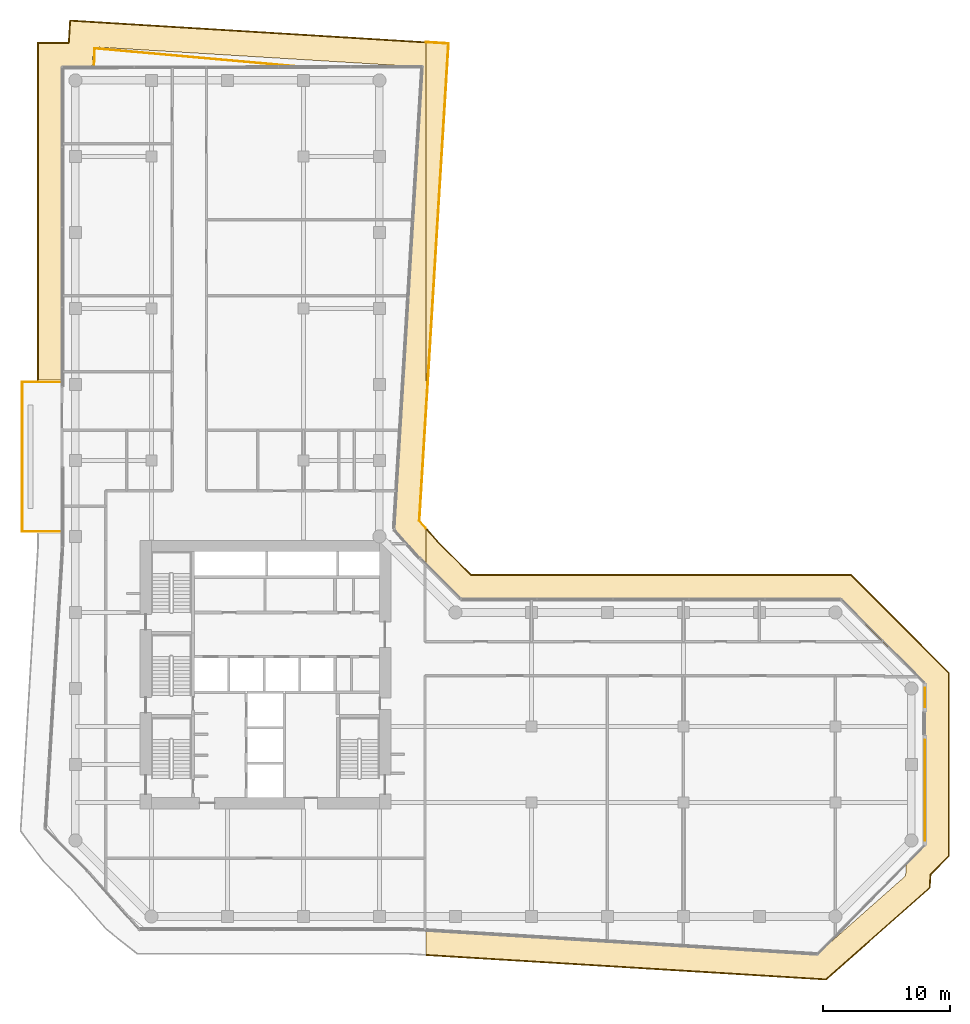
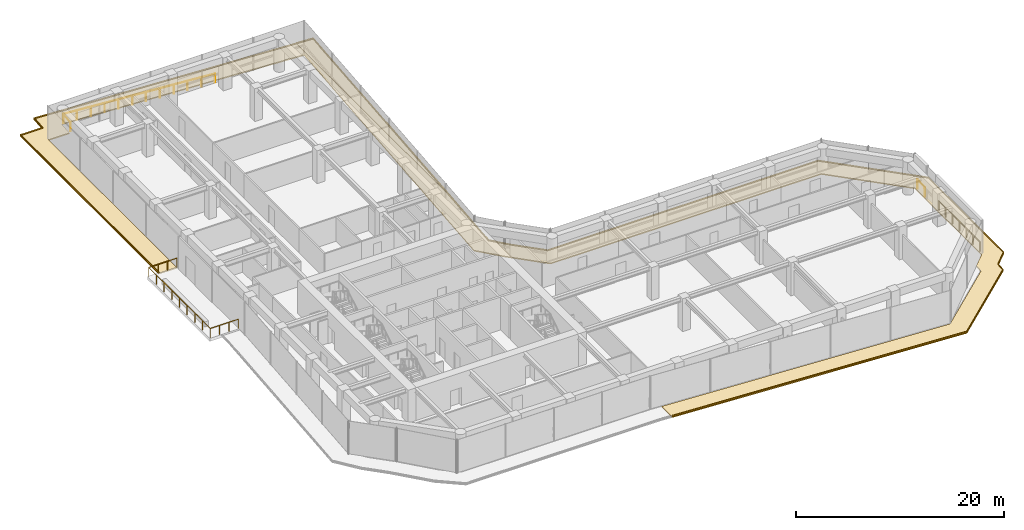
# One storey, part 27 of 27: 7 coverings, 4 railings.
"""IFC4 building model written with IfcOpenShell, lengths in metres."""

from ifc_helpers import new_model, si_unit, direction, frame, origin, origin_2d, place, context, subcontext, project, spatial, polyline, circle, outline, extrude, material, layer, layer_set, type_object, element, save


model = new_model("IFC4")

# Units and contexts
model_context = context("Model", 3, precision=1e-05, world=origin(), true_north=direction((0.0, 1.0)))
body_context = subcontext(model_context, "Body", "Model", "MODEL_VIEW")
ifc_project = project(units=[si_unit("LENGTHUNIT", "METRE"), si_unit("AREAUNIT", "SQUARE_METRE"), si_unit("VOLUMEUNIT", "CUBIC_METRE"), si_unit("PLANEANGLEUNIT", "RADIAN"), si_unit("MASSUNIT", "GRAM", prefix="KILO")], contexts=[model_context])

# Site, building, storey
site_placement = place(None, origin())
site = spatial("IfcSite", under=ifc_project, at=site_placement, CompositionType="ELEMENT")
building_placement = place(site_placement, origin())
building = spatial("IfcBuilding", under=site, at=building_placement, Name="Welwitschia Terrace Campus", CompositionType="ELEMENT")
storey_placement = place(building_placement, frame((0.0, 0.0, 37.39990234375)))
storey = spatial("IfcBuildingStorey", under=building, at=storey_placement, Name="L08", CompositionType="ELEMENT", Elevation=37.39990234375)

# Railings
ifc_material_1 = material(Name="Stainless steel grade 316", Category="steel")
railing_type = type_object("IfcRailingType", Name="Guard 1100", PredefinedType="GUARDRAIL", material=ifc_material_1)
railing_1_placement = place(storey_placement, frame((-1.05810546875, 26.392822265625, 0.0)))
element("IfcRailing", 1, at=railing_1_placement, inside=storey, type_object=railing_type, Name="Guard terrace L08:0:0.0", PredefinedType="GUARDRAIL", context=body_context, shape_type="SweptSolid", body=[
    extrude(circle(Radius=0.02392578125, at=origin_2d()), frame((0.0, 0.0, 1.076171875), z_axis=(-1.0, 0.0, 0.0), x_axis=(0.0, -1.0, 0.0)), (0.0, 0.0, 1.0), 3.141845703125),
    extrude(circle(Radius=0.02392578125, at=origin_2d()), frame((-3.141845703125, 0.0, 1.076171875), z_axis=(0.0, 1.0, 0.0), x_axis=(-1.0, 0.0, 0.0)), (0.0, 0.0, 1.0), 11.800048828125),
    extrude(circle(Radius=0.02392578125, at=origin_2d()), frame((-3.141845703125, 11.800048828125, 1.076171875), z_axis=(1.0, 0.0, 0.0), x_axis=(0.0, 1.0, 0.0)), (0.0, 0.0, 1.0), 3.141845703125),
    extrude(circle(Radius=0.02099609375, at=origin_2d()), origin(), (0.0, 0.0, 1.0), 1.052001953125),
    extrude(circle(Radius=0.02099609375, at=origin_2d()), frame((-1.04736328125, 0.0, 0.0)), (0.0, 0.0, 1.0), 1.052001953125),
    extrude(circle(Radius=0.02099609375, at=origin_2d()), frame((-2.094482421875, 0.0, 0.0)), (0.0, 0.0, 1.0), 1.052001953125),
    extrude(circle(Radius=0.02099609375, at=origin_2d()), frame((-3.141845703125, 0.0, 0.0)), (0.0, 0.0, 1.0), 1.052001953125),
    extrude(circle(Radius=0.02099609375, at=origin_2d()), frame((-3.141845703125, 1.47509765625, 0.0)), (0.0, 0.0, 1.0), 1.052001953125),
    extrude(circle(Radius=0.02099609375, at=origin_2d()), frame((-3.141845703125, 2.949951171875, 0.0)), (0.0, 0.0, 1.0), 1.052001953125),
    extrude(circle(Radius=0.02099609375, at=origin_2d()), frame((-3.141845703125, 4.425048828125, 0.0)), (0.0, 0.0, 1.0), 1.052001953125),
    extrude(circle(Radius=0.02099609375, at=origin_2d()), frame((-3.141845703125, 5.89990234375, 0.0)), (0.0, 0.0, 1.0), 1.052001953125),
    extrude(circle(Radius=0.02099609375, at=origin_2d()), frame((-3.141845703125, 7.375, 0.0)), (0.0, 0.0, 1.0), 1.052001953125),
    extrude(circle(Radius=0.02099609375, at=origin_2d()), frame((-3.141845703125, 8.85009765625, 0.0)), (0.0, 0.0, 1.0), 1.052001953125),
    extrude(circle(Radius=0.02099609375, at=origin_2d()), frame((-3.141845703125, 10.324951171875, 0.0)), (0.0, 0.0, 1.0), 1.052001953125),
    extrude(circle(Radius=0.02099609375, at=origin_2d()), frame((-3.141845703125, 11.800048828125, 0.0)), (0.0, 0.0, 1.0), 1.052001953125),
    extrude(circle(Radius=0.02099609375, at=origin_2d()), frame((-2.094482421875, 11.800048828125, 0.0)), (0.0, 0.0, 1.0), 1.052001953125),
    extrude(circle(Radius=0.02099609375, at=origin_2d()), frame((-1.04736328125, 11.800048828125, 0.0)), (0.0, 0.0, 1.0), 1.052001953125),
    extrude(circle(Radius=0.02099609375, at=origin_2d()), frame((0.0, 11.800048828125, 0.0)), (0.0, 0.0, 1.0), 1.052001953125),
])
railing_2_placement = place(storey_placement, frame((1.467529296875, 63.05859375, 0.0)))
element("IfcRailing", 2, at=railing_2_placement, inside=storey, type_object=railing_type, Name="Guard floor edge L08.0", PredefinedType="GUARDRAIL", context=body_context, shape_type="SweptSolid", body=[
    extrude(circle(Radius=0.02392578125, at=origin_2d()), frame((0.0, 0.0, 1.076171875), z_axis=(0.041713495169, 0.999129613374, 0.0), x_axis=(-0.999129613374, 0.041713495169, 0.0)), (0.0, 0.0, 1.0), 1.468994140625),
    extrude(circle(Radius=0.02392578125, at=origin_2d()), frame((0.061279296875, 1.4677734375, 1.076171875), z_axis=(0.996040346825, -0.0889023481, 0.0), x_axis=(0.0889023481, 0.996040346825, 0.0)), (0.0, 0.0, 1.0), 16.078857421875),
    extrude(circle(Radius=0.02099609375, at=origin_2d()), origin(), (0.0, 0.0, 1.0), 1.052001953125),
    extrude(circle(Radius=0.02099609375, at=origin_2d()), frame((0.061279296875, 1.4677734375, 0.0)), (0.0, 0.0, 1.0), 1.052001953125),
    extrude(circle(Radius=0.02099609375, at=origin_2d()), frame((1.51708984375, 1.337890625, 0.0)), (0.0, 0.0, 1.0), 1.052001953125),
    extrude(circle(Radius=0.02099609375, at=origin_2d()), frame((2.97314453125, 1.207763671875, 0.0)), (0.0, 0.0, 1.0), 1.052001953125),
    extrude(circle(Radius=0.02099609375, at=origin_2d()), frame((4.428955078125, 1.077880859375, 0.0)), (0.0, 0.0, 1.0), 1.052001953125),
    extrude(circle(Radius=0.02099609375, at=origin_2d()), frame((5.885009765625, 0.947998046875, 0.0)), (0.0, 0.0, 1.0), 1.052001953125),
    extrude(circle(Radius=0.02099609375, at=origin_2d()), frame((7.3408203125, 0.818115234375, 0.0)), (0.0, 0.0, 1.0), 1.052001953125),
    extrude(circle(Radius=0.02099609375, at=origin_2d()), frame((8.796875, 0.68798828125, 0.0)), (0.0, 0.0, 1.0), 1.052001953125),
    extrude(circle(Radius=0.02099609375, at=origin_2d()), frame((10.252685546875, 0.55810546875, 0.0)), (0.0, 0.0, 1.0), 1.052001953125),
    extrude(circle(Radius=0.02099609375, at=origin_2d()), frame((11.708740234375, 0.42822265625, 0.0)), (0.0, 0.0, 1.0), 1.052001953125),
    extrude(circle(Radius=0.02099609375, at=origin_2d()), frame((13.16455078125, 0.29833984375, 0.0)), (0.0, 0.0, 1.0), 1.052001953125),
    extrude(circle(Radius=0.02099609375, at=origin_2d()), frame((14.62060546875, 0.168212890625, 0.0)), (0.0, 0.0, 1.0), 1.052001953125),
    extrude(circle(Radius=0.02099609375, at=origin_2d()), frame((16.076416015625, 0.038330078125, 0.0)), (0.0, 0.0, 1.0), 1.052001953125),
])
railing_3_placement = place(storey_placement, frame((67.05810546875, 9.911865234375, 0.0)))
element("IfcRailing", 3, at=railing_3_placement, inside=storey, type_object=railing_type, Name="Guard floor edge L08.1", PredefinedType="GUARDRAIL", context=body_context, shape_type="SweptSolid", body=[
    extrude(circle(Radius=0.02392578125, at=origin_2d()), frame((0.0, 0.0, 1.076171875), z_axis=(0.0, -1.0, 0.0), x_axis=(1.0, 0.0, 0.0)), (0.0, 0.0, 1.0), 7.913818359375),
    extrude(circle(Radius=0.02099609375, at=origin_2d()), origin(), (0.0, 0.0, 1.0), 1.052001953125),
    extrude(circle(Radius=0.02099609375, at=origin_2d()), frame((0.0, -1.31884765625, 0.0)), (0.0, 0.0, 1.0), 1.052001953125),
    extrude(circle(Radius=0.02099609375, at=origin_2d()), frame((0.0, -2.637939453125, 0.0)), (0.0, 0.0, 1.0), 1.052001953125),
    extrude(circle(Radius=0.02099609375, at=origin_2d()), frame((0.0, -3.95703125, 0.0)), (0.0, 0.0, 1.0), 1.052001953125),
    extrude(circle(Radius=0.02099609375, at=origin_2d()), frame((0.0, -5.27587890625, 0.0)), (0.0, 0.0, 1.0), 1.052001953125),
    extrude(circle(Radius=0.02099609375, at=origin_2d()), frame((0.0, -6.5947265625, 0.0)), (0.0, 0.0, 1.0), 1.052001953125),
    extrude(circle(Radius=0.02099609375, at=origin_2d()), frame((0.0, -7.913818359375, 0.0)), (0.0, 0.0, 1.0), 1.052001953125),
])
railing_4_placement = place(storey_placement, frame((67.05810546875, 14.025146484375, 0.0)))
element("IfcRailing", 4, at=railing_4_placement, inside=storey, type_object=railing_type, Name="Guard floor edge L08.2", PredefinedType="GUARDRAIL", context=body_context, shape_type="SweptSolid", body=[
    extrude(circle(Radius=0.02392578125, at=origin_2d()), frame((0.0, 0.0, 1.076171875), z_axis=(0.0, -1.0, 0.0), x_axis=(1.0, 0.0, 0.0)), (0.0, 0.0, 1.0), 1.4873046875),
    extrude(circle(Radius=0.02099609375, at=origin_2d()), origin(), (0.0, 0.0, 1.0), 1.052001953125),
    extrude(circle(Radius=0.02099609375, at=origin_2d()), frame((0.0, -1.4873046875, 0.0)), (0.0, 0.0, 1.0), 1.052001953125),
])

# Coverings
ifc_material_2 = material(Name="Bronze anodised aluminium", Category="aluminium")
ifc_layer_1 = layer(ifc_material_2, 0.1201171875)
ifc_layer_set_1 = layer_set([ifc_layer_1], Name="Bronze anodised aluminium")
covering_type_1 = type_object("IfcCoveringType", Name="Sunshade band 2000", PredefinedType="USERDEFINED", material=ifc_layer_set_1)
covering_1_placement = place(storey_placement, frame((0.0, 0.0, -0.25)))
element("IfcCovering", 5, at=covering_1_placement, inside=storey, type_object=covering_type_1, Name="SUNSHADE L08.SW0", ObjectType="SUNSHADE", PredefinedType="USERDEFINED", context=body_context, shape_type="SweptSolid", body=[
    extrude(outline(polyline([(-0.4580078125, 66.77197265625), (27.6669921875, 65.0517578125), (27.6669921875, 35.197998046875), (27.18115234375, 27.25341796875), (27.6669921875, 26.704345703125), (27.6669921875, 23.747314453125), (27.19677734375, 24.217529296875), (25.13427734375, 26.548583984375), (27.36767578125, 63.06640625), (1.416259765625, 64.653564453125), (1.315185546875, 63.0), (-1.0, 63.0), (-1.0, 38.343017578125), (-3.0, 38.343017578125), (-3.0, 65.0), (-0.56640625, 65.0), (-0.4580078125, 66.77197265625)])), origin(), (0.0, 0.0, 1.0), 0.1201171875),
])
covering_2_placement = place(storey_placement, frame((0.0, 0.0, -0.25)))
element("IfcCovering", 6, at=covering_2_placement, inside=storey, type_object=covering_type_1, Name="SUNSHADE L08.SE0", ObjectType="SUNSHADE", PredefinedType="USERDEFINED", context=body_context, shape_type="SweptSolid", body=[
    extrude(outline(polyline([(29.486083984375, 64.9404296875), (27.6669921875, 35.197998046875), (27.6669921875, 65.0517578125), (29.486083984375, 64.9404296875)])), origin(), (0.0, 0.0, 1.0), 0.1201171875),
])
covering_3_placement = place(storey_placement, frame((0.0, 0.0, -0.25)))
element("IfcCovering", 7, at=covering_3_placement, inside=storey, type_object=covering_type_1, Name="SUNSHADE L08.SE1", ObjectType="SUNSHADE", PredefinedType="USERDEFINED", context=body_context, shape_type="SweptSolid", body=[
    extrude(outline(polyline([(28.654052734375, 25.58837890625), (31.24267578125, 23.0), (61.24267578125, 23.0), (69.0, 15.24267578125), (69.0, 0.75732421875), (67.55029296875, -0.6923828125), (67.48583984375, -1.746337890625), (59.269287109375, -9.015625), (27.6669921875, -7.082763671875), (27.6669921875, -5.0791015625), (58.564697265625, -6.968994140625), (65.5400390625, -0.79736328125), (65.600341796875, 0.18603515625), (67.0, 1.585693359375), (67.0, 14.414306640625), (60.414306640625, 21.0), (30.414306640625, 21.0), (27.6669921875, 23.747314453125), (27.6669921875, 26.704345703125), (28.654052734375, 25.58837890625)])), origin(), (0.0, 0.0, 1.0), 0.1201171875),
])
ifc_material_3 = material(Name="Bronze anodised aluminium", Category="aluminium")
ifc_layer_2 = layer(ifc_material_3, 0.06005859375)
ifc_layer_set_2 = layer_set([ifc_layer_2], Name="Bronze anodised aluminium")
covering_type_2 = type_object("IfcCoveringType", Name="Sunshade lip 60", PredefinedType="USERDEFINED", material=ifc_layer_set_2)
covering_4_placement = place(storey_placement, frame((0.0, 0.0, -0.1298828125)))
element("IfcCovering", 8, at=covering_4_placement, inside=storey, type_object=covering_type_2, Name="SUNSHADE LIP L08.SW0.0", ObjectType="SUNSHADE", PredefinedType="USERDEFINED", context=body_context, shape_type="SweptSolid", body=[
    extrude(outline(polyline([(27.6669921875, 65.0517578125), (27.6669921875, 64.99169921875), (-0.401611328125, 66.70849609375), (-0.510009765625, 64.93994140625), (-2.93994140625, 64.93994140625), (-2.93994140625, 38.343017578125), (-3.0, 38.343017578125), (-3.0, 65.0), (-0.56640625, 65.0), (-0.4580078125, 66.77197265625), (27.6669921875, 65.0517578125)])), origin(), (0.0, 0.0, 1.0), 0.1298828125),
])
covering_5_placement = place(storey_placement, frame((0.0, 0.0, -0.1298828125)))
element("IfcCovering", 9, at=covering_5_placement, inside=storey, type_object=covering_type_2, Name="SUNSHADE LIP L08.SW0.1", ObjectType="SUNSHADE", PredefinedType="USERDEFINED", context=body_context, shape_type="SweptSolid", body=[
    extrude(outline(polyline([(27.6669921875, 35.197998046875), (27.18115234375, 27.25341796875), (27.6669921875, 26.704345703125), (27.6669921875, 26.61376953125), (27.11962890625, 27.232421875), (27.6669921875, 36.180908203125), (27.6669921875, 35.197998046875)])), origin(), (0.0, 0.0, 1.0), 0.1298828125),
])
covering_6_placement = place(storey_placement, frame((0.0, 0.0, -0.1298828125)))
element("IfcCovering", 10, at=covering_6_placement, inside=storey, type_object=covering_type_2, Name="SUNSHADE LIP L08.SE0.0", ObjectType="SUNSHADE", PredefinedType="USERDEFINED", context=body_context, shape_type="SweptSolid", body=[
    extrude(outline(polyline([(27.6669921875, 35.197998046875), (27.6669921875, 36.180908203125), (29.422607421875, 64.88427734375), (27.6669921875, 64.99169921875), (27.6669921875, 65.0517578125), (29.486083984375, 64.9404296875), (27.6669921875, 35.197998046875)])), origin(), (0.0, 0.0, 1.0), 0.1298828125),
])
covering_7_placement = place(storey_placement, frame((0.0, 0.0, -0.1298828125)))
element("IfcCovering", 11, at=covering_7_placement, inside=storey, type_object=covering_type_2, Name="SUNSHADE LIP L08.SE1.0", ObjectType="SUNSHADE", PredefinedType="USERDEFINED", context=body_context, shape_type="SweptSolid", body=[
    extrude(outline(polyline([(31.24267578125, 23.0), (61.24267578125, 23.0), (69.0, 15.24267578125), (69.0, 0.75732421875), (67.55029296875, -0.6923828125), (67.48583984375, -1.746337890625), (59.269287109375, -9.015625), (27.6669921875, -7.082763671875), (27.6669921875, -7.022705078125), (59.248291015625, -8.954345703125), (67.427490234375, -1.718017578125), (67.49169921875, -0.666015625), (68.93994140625, 0.7822265625), (68.93994140625, 15.2177734375), (61.2177734375, 22.93994140625), (31.2177734375, 22.93994140625), (28.6103515625, 25.54736328125), (27.6669921875, 26.61376953125), (27.6669921875, 26.704345703125), (28.654052734375, 25.58837890625), (31.24267578125, 23.0)])), origin(), (0.0, 0.0, 1.0), 0.1298828125),
])

save(model, "model.ifc")
